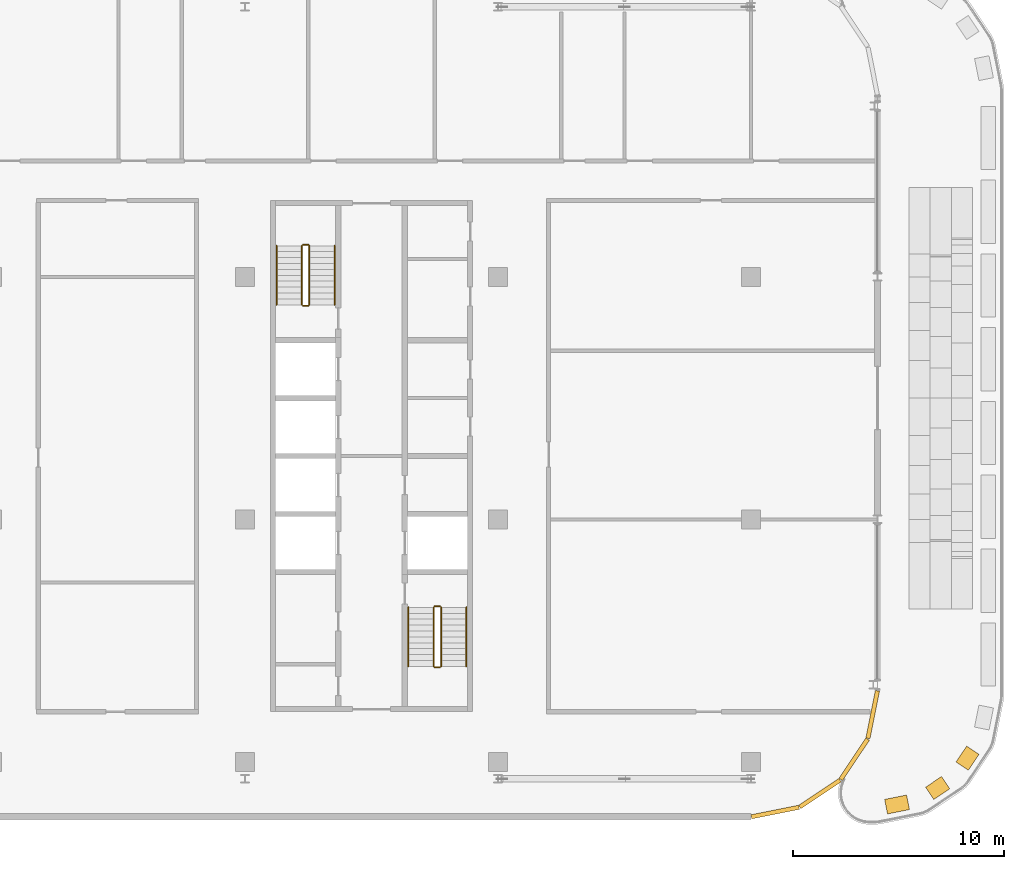
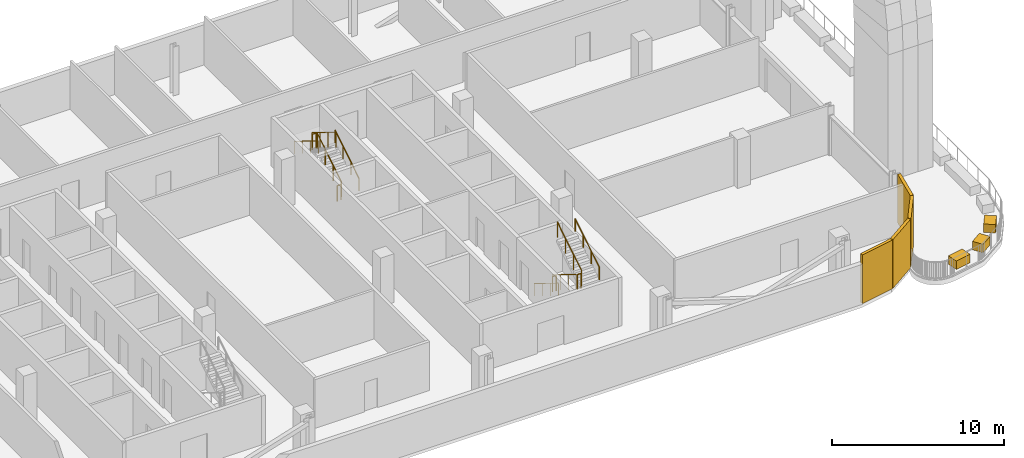
# One storey, part 27 of 30: 12 railings, 7 coverings.
"""IFC4 building model written with IfcOpenShell, lengths in metres."""

import ifcopenshell
import ifcopenshell.guid

model = None  # the IFC model being written
_history = None  # IfcOwnerHistory: only IFC2X3 demands one
_inside = {}  # id of a spatial element -> (the spatial element, [elements in it])
_under = {}  # id of a project, library or spatial element -> (it, [spatial elements below it])
_declared = {}  # id of a project -> (the project, [libraries it declares])
_typed = {}  # id of a type object -> (the type object, [elements of that type])
_made_of = {}  # id of a material, layer set ... -> (it, [elements and type objects made of it])


def new_model(schema):
    """Start an empty IFC model of exactly this schema.

    Asked for "IFC4X3", IfcOpenShell would pick the latest addendum, in which some entities
    have other attributes; the version numbers below select the first issue.
    IFC2X3 requires an IfcOwnerHistory on every rooted entity: one is made here for all.
    """
    global model, _history
    if schema == "IFC4X3":
        model = ifcopenshell.file(schema_version=(4, 3, 0, 0))
    else:
        model = ifcopenshell.file(schema=schema)
    _inside.clear()
    _under.clear()
    _declared.clear()
    _typed.clear()
    _made_of.clear()
    _history = None
    if model.schema == "IFC2X3":
        org = make("IfcOrganization", Name="unknown")
        user = make(
            "IfcPersonAndOrganization",
            ThePerson=make("IfcPerson", FamilyName="unknown"),
            TheOrganization=org,
        )
        app = make(
            "IfcApplication",
            ApplicationDeveloper=org,
            Version="unknown",
            ApplicationFullName="unknown",
            ApplicationIdentifier="unknown",
        )
        _history = make(
            "IfcOwnerHistory",
            OwningUser=user,
            OwningApplication=app,
            ChangeAction="ADDED",
            CreationDate=0,
        )
    return model


def make(cls, **values):
    """One entity of the class cls with the attributes given. An attribute that is None is left unset."""
    return model.create_entity(
        cls, **{name: value for name, value in values.items() if value is not None}
    )


def rooted(cls, **values):
    """An entity with a GlobalId (a new one), such as an element, a storey or a relation."""
    return make(cls, GlobalId=ifcopenshell.guid.new(), OwnerHistory=_history, **values)


def si_unit(unit_type, name, prefix=None):
    """IfcSIUnit, for example si_unit("LENGTHUNIT", "METRE", prefix="MILLI")."""
    return make("IfcSIUnit", UnitType=unit_type, Prefix=prefix, Name=name)


def assignment(units):
    """IfcUnitAssignment: the units of a project."""
    return None if units is None else make("IfcUnitAssignment", Units=units)


def point(xyz):
    """IfcCartesianPoint."""
    return None if xyz is None else make("IfcCartesianPoint", Coordinates=xyz)


def direction(xyz):
    """IfcDirection."""
    return None if xyz is None else make("IfcDirection", DirectionRatios=xyz)


def frame(location, z_axis=None, x_axis=None):
    """IfcAxis2Placement3D, a coordinate frame: its origin and axes. An axis left out is left unset."""
    return make(
        "IfcAxis2Placement3D",
        Location=point(location),
        Axis=direction(z_axis),
        RefDirection=direction(x_axis),
    )


def frame_2d(location, x_axis=None):
    """IfcAxis2Placement2D, a coordinate frame in the plane: its origin and x axis."""
    return make(
        "IfcAxis2Placement2D", Location=point(location), RefDirection=direction(x_axis)
    )


def origin():
    """The frame at (0, 0, 0) with its axes left unset."""
    return frame((0.0, 0.0, 0.0))


def origin_2d():
    """The frame at (0, 0) in the plane with its x axis left unset."""
    return frame_2d((0.0, 0.0))


def place(relative_to, where):
    """IfcLocalPlacement: puts the frame where relative to a parent placement (None: the world)."""
    return make(
        "IfcLocalPlacement", PlacementRelTo=relative_to, RelativePlacement=where
    )


def context(
    kind, dimensions, precision=None, world=None, true_north=None, identifier=None
):
    """IfcGeometricRepresentationContext, for example the 3D "Model" context."""
    return make(
        "IfcGeometricRepresentationContext",
        ContextIdentifier=identifier,
        ContextType=kind,
        CoordinateSpaceDimension=dimensions,
        Precision=precision,
        WorldCoordinateSystem=world,
        TrueNorth=true_north,
    )


def subcontext(parent, identifier, kind, view, scale=None):
    """IfcGeometricRepresentationSubContext, for example "Body" below "Model"."""
    return make(
        "IfcGeometricRepresentationSubContext",
        ContextIdentifier=identifier,
        ContextType=kind,
        ParentContext=parent,
        TargetScale=scale,
        TargetView=view,
    )


def project(units=None, contexts=None):
    """IfcProject with its units and contexts."""
    return rooted(
        "IfcProject",
        Name="project",
        RepresentationContexts=contexts,
        UnitsInContext=assignment(units),
    )


def spatial(cls, under=None, at=None, **own):
    """A site, building, storey or space (cls), placed at a placement, below another one or the project."""
    s = rooted(cls, ObjectPlacement=at, **own)
    if under is not None:
        _under.setdefault(under.id(), (under, []))[1].append(s)
    return s


def profile(cls, at=None, kind="AREA", **sizes):
    """A parametric profile (cls). Its sizes go by their IFC names, for example OverallWidth=200.0."""
    return make(cls, ProfileType=kind, Position=at, **sizes)


def rectangle(**sizes):
    """IfcRectangleProfileDef."""
    return profile("IfcRectangleProfileDef", **sizes)


def circle(**sizes):
    """IfcCircleProfileDef."""
    return profile("IfcCircleProfileDef", **sizes)


def extrude(swept, where, along, depth):
    """IfcExtrudedAreaSolid: the profile swept, set in the frame where, extruded along a direction by depth."""
    return make(
        "IfcExtrudedAreaSolid",
        SweptArea=swept,
        Position=where,
        ExtrudedDirection=direction(along),
        Depth=depth,
    )


def shape(context_of_items, identifier, shape_type, items):
    """IfcShapeRepresentation: the items that make up one representation, for example the "Body"."""
    return make(
        "IfcShapeRepresentation",
        ContextOfItems=context_of_items,
        RepresentationIdentifier=identifier,
        RepresentationType=shape_type,
        Items=items,
    )


def material(Name=None, Category=None):
    """IfcMaterial."""
    return make("IfcMaterial", Name=Name, Category=Category)


def layer(
    of_material, thickness, ventilated=None, Name=None, Category=None, Priority=None
):
    """IfcMaterialLayer: one layer of a wall or slab, of a material (None: an air gap)."""
    return make(
        "IfcMaterialLayer",
        Material=of_material,
        LayerThickness=thickness,
        IsVentilated=ventilated,
        Name=Name,
        Category=Category,
        Priority=Priority,
    )


def layer_set(layers, Name=None):
    """IfcMaterialLayerSet."""
    return make("IfcMaterialLayerSet", MaterialLayers=layers, LayerSetName=Name)


def made_of(thing, what):
    """Note that an element or type object is made of a material, layer set ...; save() writes the relation."""
    if what is not None:
        _made_of.setdefault(what.id(), (what, []))[1].append(thing)
    return thing


def type_object(cls, material=None, **own):
    """A type object (cls), such as IfcWallType, which elements share."""
    return made_of(rooted(cls, **own), material)


def element(
    cls,
    number,
    at=None,
    inside=None,
    cuts=None,
    type_object=None,
    material=None,
    context=None,
    identifier="Body",
    shape_type=None,
    held_by="IfcProductDefinitionShape",
    body=None,
    shapes=None,
    **own,
):
    """One element of the class cls, such as IfcWall. Its Tag is "e" and its number.

    at: its placement. inside: the storey or other place that contains it. cuts: it is an
    opening in that element (IfcRelVoidsElement). A single representation is given by context,
    identifier, shape_type and body (its items); several are given by shapes. held_by: the class
    of the entity that holds the representations. save() writes the other relations.
    """
    e = rooted(cls, Tag="e%d" % number, ObjectPlacement=at, **own)
    if body is not None:
        shapes = [shape(context, identifier, shape_type, body)]
    if shapes is not None:
        e.Representation = make(held_by, Representations=shapes)
    if inside is not None:
        _inside.setdefault(inside.id(), (inside, []))[1].append(e)
    if cuts is not None:
        rooted(
            "IfcRelVoidsElement", RelatingBuildingElement=cuts, RelatedOpeningElement=e
        )
    if type_object is not None:
        _typed.setdefault(type_object.id(), (type_object, []))[1].append(e)
    return made_of(e, material)


def aggregate(whole, parts):
    """IfcRelAggregates: a whole, such as a stair, and the parts it consists of."""
    return rooted("IfcRelAggregates", RelatingObject=whole, RelatedObjects=parts)


def save(model, path):
    """Write the relations noted so far, then the file.

    IfcRelAggregates (storeys below a building ...), IfcRelContainedInSpatialStructure (elements
    in a storey), IfcRelDefinesByType, IfcRelAssociatesMaterial and IfcRelDeclares: one each for
    every whole, place, type object, material and project.
    """
    for whole, parts in _under.values():
        aggregate(whole, parts)
    for where, things in _inside.values():
        rooted(
            "IfcRelContainedInSpatialStructure",
            RelatedElements=things,
            RelatingStructure=where,
        )
    for kind, things in _typed.values():
        rooted("IfcRelDefinesByType", RelatedObjects=things, RelatingType=kind)
    for what, things in _made_of.values():
        rooted("IfcRelAssociatesMaterial", RelatedObjects=things, RelatingMaterial=what)
    for by, libraries in _declared.values():
        rooted("IfcRelDeclares", RelatingContext=by, RelatedDefinitions=libraries)
    model.write(path)


model = new_model("IFC4")

# Units and contexts
model_context = context("Model", 3, precision=1e-05, world=origin(), true_north=direction((0.0, 1.0)))
body_context = subcontext(model_context, "Body", "Model", "MODEL_VIEW")
ifc_project = project(units=[si_unit("LENGTHUNIT", "METRE"), si_unit("AREAUNIT", "SQUARE_METRE"), si_unit("VOLUMEUNIT", "CUBIC_METRE"), si_unit("PLANEANGLEUNIT", "RADIAN"), si_unit("MASSUNIT", "GRAM", prefix="KILO")], contexts=[model_context])

# Site, building, storey
site_placement = place(None, origin())
site = spatial("IfcSite", under=ifc_project, at=site_placement, CompositionType="ELEMENT")
building_placement = place(site_placement, origin())
building = spatial("IfcBuilding", under=site, at=building_placement, Name="Mahtab Terrace Research Tower", CompositionType="ELEMENT")
storey_placement = place(building_placement, frame((0.0, 0.0, 263.300048828125)))
storey = spatial("IfcBuildingStorey", under=building, at=storey_placement, Name="L64", CompositionType="ELEMENT", Elevation=263.300048828125)

# Coverings
ifc_material_1 = material(Name="Black aluminium cladding panel", Category="aluminium")
ifc_layer_1 = layer(ifc_material_1, 0.199951171875)
ifc_layer_set_1 = layer_set([ifc_layer_1], Name="Black metal corner cladding 200")
covering_type_1 = type_object("IfcCoveringType", Name="Black metal corner cladding 200", PredefinedType="CLADDING", material=ifc_layer_set_1)
for number, where, z_axis, x_axis, name in (
    (1, (43.14794921875, -13.883544921875, 0.0), (0.0, 0.0, 1.0), (0.980760981187, 0.195212442692, 0.0), "Corner cladding L64 17"),
    (2, (45.26953125, -13.0048828125, 0.0), (0.0, 0.0, 1.0), (0.831655794326, 0.555291490808, 0.0), "Corner cladding L64 18"),
    (3, (46.89306640625, -11.381591796875, 0.0), (0.0, 0.0, 1.0), (0.555291490808, 0.831655794326, 0.0), "Corner cladding L64 19"),
    (4, (47.771484375, -9.260009765625, 0.0), (0.0, 0.0, 1.0), (0.195212442692, 0.980760981187, 0.0), "Corner cladding L64 20"),
):
    element("IfcCovering", number, at=place(storey_placement, frame(where, z_axis=z_axis, x_axis=x_axis)), inside=storey, type_object=covering_type_1, Name=name, PredefinedType="CLADDING", context=body_context, shape_type="SweptSolid", body=[
        extrude(rectangle(XDim=2.30126953125, YDim=0.199951171875, at=origin_2d()), origin(), (0.0, 0.0, 1.0), 3.4599609375),
    ])
ifc_material_2 = material(Name="Planting soil and shrubs")
ifc_layer_2 = layer(ifc_material_2, 0.1201171875)
ifc_layer_set_2 = layer_set([ifc_layer_2], Name="Planter")
covering_type_2 = type_object("IfcCoveringType", Name="Planter", PredefinedType="USERDEFINED", material=ifc_layer_set_2)
covering_placement = place(storey_placement, frame((48.92822265625, -13.523193359375, 0.02978515625), z_axis=(0.0, 0.0, 1.0), x_axis=(0.980742754391, 0.195303993071, 0.0)))
element("IfcCovering", 5, at=covering_placement, inside=storey, type_object=covering_type_2, Name="PLANTER terrace 7", ObjectType="PLANTER", PredefinedType="USERDEFINED", context=body_context, shape_type="SweptSolid", body=[
    extrude(rectangle(XDim=1.060546875, YDim=0.699951171875, at=origin_2d()), origin(), (0.0, 0.0, 1.0), 0.60009765625),
])
for number, where, z_axis, x_axis, name in (
    (6, (50.853759765625, -12.741943359375, 0.02978515625), (0.0, 0.0, 1.0), (0.831344457855, 0.555757494231, 0.0), "PLANTER terrace 7"),
    (7, (52.268798828125, -11.32666015625, 0.02978515625), (0.0, 0.0, 1.0), (0.555757494231, 0.831344457855, 0.0), "PLANTER terrace 7"),
):
    element("IfcCovering", number, at=place(storey_placement, frame(where, z_axis=z_axis, x_axis=x_axis)), inside=storey, type_object=covering_type_2, Name=name, ObjectType="PLANTER", PredefinedType="USERDEFINED", context=body_context, shape_type="SweptSolid", body=[
        extrude(rectangle(XDim=0.908447265625, YDim=0.699951171875, at=origin_2d()), origin(), (0.0, 0.0, 1.0), 0.60009765625),
    ])

# Railings
ifc_material_3 = material(Name="Stainless steel AISI 304", Category="steel")
railing_type_1 = type_object("IfcRailingType", Name="Stair guard 1100", PredefinedType="GUARDRAIL", material=ifc_material_3)
railing_1_placement = place(storey_placement, frame((21.050048828125, 10.175048828125, 0.172607421875)))
element("IfcRailing", 8, at=railing_1_placement, inside=storey, type_object=railing_type_1, Name="L64 ST3 stair guard 1", PredefinedType="GUARDRAIL", context=body_context, shape_type="SweptSolid", body=[
    extrude(circle(Radius=0.02392578125, at=origin_2d()), frame((0.0, 0.0, 1.076171875), z_axis=(0.0, 0.851089632645, 0.525020415988), x_axis=(-1.0, 0.0, 0.0)), (0.0, 0.0, 1.0), 3.2900390625),
    extrude(circle(Radius=0.02099609375, at=origin_2d()), origin(), (0.0, 0.0, 1.0), 1.052001953125),
    extrude(circle(Radius=0.02099609375, at=origin_2d()), frame((0.0, 0.933349609375, 0.57568359375)), (0.0, 0.0, 1.0), 1.052001953125),
    extrude(circle(Radius=0.02099609375, at=origin_2d()), frame((0.0, 1.86669921875, 1.151611328125)), (0.0, 0.0, 1.0), 1.052001953125),
    extrude(circle(Radius=0.02099609375, at=origin_2d()), frame((0.0, 2.800048828125, 1.727294921875)), (0.0, 0.0, 1.0), 1.052001953125),
])
railing_2_placement = place(storey_placement, frame((21.0, 13.02490234375, 1.89990234375)))
element("IfcRailing", 9, at=railing_2_placement, inside=storey, type_object=railing_type_1, Name="L64 ST3 stair guard 2", PredefinedType="GUARDRAIL", context=body_context, shape_type="SweptSolid", body=[
    extrude(circle(Radius=0.02392578125, at=origin_2d()), frame((0.0, 0.0, 1.076171875), z_axis=(-1.0, 0.0, 0.0), x_axis=(0.0, -1.0, 0.0)), (0.0, 0.0, 1.0), 0.25),
    extrude(circle(Radius=0.02099609375, at=origin_2d()), origin(), (0.0, 0.0, 1.0), 1.052001953125),
    extrude(circle(Radius=0.02099609375, at=origin_2d()), frame((-0.25, 0.0, 0.0)), (0.0, 0.0, 1.0), 1.052001953125),
])
railing_3_placement = place(storey_placement, frame((20.699951171875, 12.97509765625, 2.07275390625)))
element("IfcRailing", 10, at=railing_3_placement, inside=storey, type_object=railing_type_1, Name="L64 ST3 stair guard 3", PredefinedType="GUARDRAIL", context=body_context, shape_type="SweptSolid", body=[
    extrude(circle(Radius=0.02392578125, at=origin_2d()), frame((0.0, 0.0, 1.076171875), z_axis=(0.0, -0.851089632645, 0.525020415988), x_axis=(1.0, 0.0, 0.0)), (0.0, 0.0, 1.0), 3.2900390625),
    extrude(circle(Radius=0.02099609375, at=origin_2d()), origin(), (0.0, 0.0, 1.0), 1.052001953125),
    extrude(circle(Radius=0.02099609375, at=origin_2d()), frame((0.0, -0.933349609375, 0.57568359375)), (0.0, 0.0, 1.0), 1.052001953125),
    extrude(circle(Radius=0.02099609375, at=origin_2d()), frame((0.0, -1.86669921875, 1.151611328125)), (0.0, 0.0, 1.0), 1.052001953125),
    extrude(circle(Radius=0.02099609375, at=origin_2d()), frame((0.0, -2.800048828125, 1.727294921875)), (0.0, 0.0, 1.0), 1.052001953125),
])
railing_4_placement = place(storey_placement, frame((21.0, 10.125, 0.0)))
element("IfcRailing", 11, at=railing_4_placement, inside=storey, type_object=railing_type_1, Name="L64 ST3 stair guard 4", PredefinedType="GUARDRAIL", context=body_context, shape_type="SweptSolid", body=[
    extrude(circle(Radius=0.02392578125, at=origin_2d()), frame((0.0, 0.0, 1.076171875), z_axis=(-1.0, 0.0, 0.0), x_axis=(0.0, -1.0, 0.0)), (0.0, 0.0, 1.0), 0.25),
    extrude(circle(Radius=0.02099609375, at=origin_2d()), origin(), (0.0, 0.0, 1.0), 1.052001953125),
    extrude(circle(Radius=0.02099609375, at=origin_2d()), frame((-0.25, 0.0, 0.0)), (0.0, 0.0, 1.0), 1.052001953125),
])
railing_5_placement = place(storey_placement, frame((26.949951171875, -4.175048828125, 0.172607421875)))
element("IfcRailing", 12, at=railing_5_placement, inside=storey, type_object=railing_type_1, Name="L64 ST4 stair guard 1", PredefinedType="GUARDRAIL", context=body_context, shape_type="SweptSolid", body=[
    extrude(circle(Radius=0.02392578125, at=origin_2d()), frame((0.0, 0.0, 1.076171875), z_axis=(0.0, -0.851089632645, 0.525020415988), x_axis=(1.0, 0.0, 0.0)), (0.0, 0.0, 1.0), 3.2900390625),
    extrude(circle(Radius=0.02099609375, at=origin_2d()), origin(), (0.0, 0.0, 1.0), 1.052001953125),
    extrude(circle(Radius=0.02099609375, at=origin_2d()), frame((0.0, -0.933349609375, 0.57568359375)), (0.0, 0.0, 1.0), 1.052001953125),
    extrude(circle(Radius=0.02099609375, at=origin_2d()), frame((0.0, -1.86669921875, 1.151611328125)), (0.0, 0.0, 1.0), 1.052001953125),
    extrude(circle(Radius=0.02099609375, at=origin_2d()), frame((0.0, -2.800048828125, 1.727294921875)), (0.0, 0.0, 1.0), 1.052001953125),
])
railing_6_placement = place(storey_placement, frame((27.0, -7.02490234375, 1.89990234375)))
element("IfcRailing", 13, at=railing_6_placement, inside=storey, type_object=railing_type_1, Name="L64 ST4 stair guard 2", PredefinedType="GUARDRAIL", context=body_context, shape_type="SweptSolid", body=[
    extrude(circle(Radius=0.02392578125, at=origin_2d()), frame((0.0, 0.0, 1.076171875), z_axis=(1.0, 0.0, 0.0), x_axis=(0.0, 1.0, 0.0)), (0.0, 0.0, 1.0), 0.25),
    extrude(circle(Radius=0.02099609375, at=origin_2d()), origin(), (0.0, 0.0, 1.0), 1.052001953125),
    extrude(circle(Radius=0.02099609375, at=origin_2d()), frame((0.25, 0.0, 0.0)), (0.0, 0.0, 1.0), 1.052001953125),
])
railing_7_placement = place(storey_placement, frame((27.300048828125, -6.97509765625, 2.07275390625)))
element("IfcRailing", 14, at=railing_7_placement, inside=storey, type_object=railing_type_1, Name="L64 ST4 stair guard 3", PredefinedType="GUARDRAIL", context=body_context, shape_type="SweptSolid", body=[
    extrude(circle(Radius=0.02392578125, at=origin_2d()), frame((0.0, 0.0, 1.076171875), z_axis=(0.0, 0.851089632645, 0.525020415988), x_axis=(-1.0, 0.0, 0.0)), (0.0, 0.0, 1.0), 3.2900390625),
    extrude(circle(Radius=0.02099609375, at=origin_2d()), origin(), (0.0, 0.0, 1.0), 1.052001953125),
    extrude(circle(Radius=0.02099609375, at=origin_2d()), frame((0.0, 0.933349609375, 0.57568359375)), (0.0, 0.0, 1.0), 1.052001953125),
    extrude(circle(Radius=0.02099609375, at=origin_2d()), frame((0.0, 1.86669921875, 1.151611328125)), (0.0, 0.0, 1.0), 1.052001953125),
    extrude(circle(Radius=0.02099609375, at=origin_2d()), frame((0.0, 2.800048828125, 1.727294921875)), (0.0, 0.0, 1.0), 1.052001953125),
])
railing_8_placement = place(storey_placement, frame((27.0, -4.125, 0.0)))
element("IfcRailing", 15, at=railing_8_placement, inside=storey, type_object=railing_type_1, Name="L64 ST4 stair guard 4", PredefinedType="GUARDRAIL", context=body_context, shape_type="SweptSolid", body=[
    extrude(circle(Radius=0.02392578125, at=origin_2d()), frame((0.0, 0.0, 1.076171875), z_axis=(1.0, 0.0, 0.0), x_axis=(0.0, 1.0, 0.0)), (0.0, 0.0, 1.0), 0.25),
    extrude(circle(Radius=0.02099609375, at=origin_2d()), origin(), (0.0, 0.0, 1.0), 1.052001953125),
    extrude(circle(Radius=0.02099609375, at=origin_2d()), frame((0.25, 0.0, 0.0)), (0.0, 0.0, 1.0), 1.052001953125),
])
railing_type_2 = type_object("IfcRailingType", Name="Stair handrail 900", PredefinedType="HANDRAIL", material=ifc_material_3)
railing_9_placement = place(storey_placement, frame((22.25, 10.175048828125, 0.172607421875)))
element("IfcRailing", 16, at=railing_9_placement, inside=storey, type_object=railing_type_2, Name="L64 ST3 stair handrail 1", PredefinedType="HANDRAIL", context=body_context, shape_type="SweptSolid", body=[
    extrude(circle(Radius=0.02392578125, at=origin_2d()), frame((0.0, 0.0, 0.8759765625), z_axis=(0.0, 0.851089632645, 0.525020415988), x_axis=(-1.0, 0.0, 0.0)), (0.0, 0.0, 1.0), 3.2900390625),
    extrude(circle(Radius=0.02099609375, at=origin_2d()), origin(), (0.0, 0.0, 1.0), 0.851806640625),
    extrude(circle(Radius=0.02099609375, at=origin_2d()), frame((0.0, 0.933349609375, 0.57568359375)), (0.0, 0.0, 1.0), 0.851806640625),
    extrude(circle(Radius=0.02099609375, at=origin_2d()), frame((0.0, 1.86669921875, 1.151611328125)), (0.0, 0.0, 1.0), 0.851806640625),
    extrude(circle(Radius=0.02099609375, at=origin_2d()), frame((0.0, 2.800048828125, 1.727294921875)), (0.0, 0.0, 1.0), 0.851806640625),
])
for number, where, name in (
    (17, (19.5, 12.97509765625, 2.07275390625), "L64 ST3 stair handrail 2"),
    (18, (25.75, -4.175048828125, 0.172607421875), "L64 ST4 stair handrail 1"),
):
    element("IfcRailing", number, at=place(storey_placement, frame(where)), inside=storey, type_object=railing_type_2, Name=name, PredefinedType="HANDRAIL", context=body_context, shape_type="SweptSolid", body=[
        extrude(circle(Radius=0.02392578125, at=origin_2d()), frame((0.0, 0.0, 0.8759765625), z_axis=(0.0, -0.851089632645, 0.525020415988), x_axis=(1.0, 0.0, 0.0)), (0.0, 0.0, 1.0), 3.2900390625),
        extrude(circle(Radius=0.02099609375, at=origin_2d()), origin(), (0.0, 0.0, 1.0), 0.851806640625),
        extrude(circle(Radius=0.02099609375, at=origin_2d()), frame((0.0, -0.933349609375, 0.57568359375)), (0.0, 0.0, 1.0), 0.851806640625),
        extrude(circle(Radius=0.02099609375, at=origin_2d()), frame((0.0, -1.86669921875, 1.151611328125)), (0.0, 0.0, 1.0), 0.851806640625),
        extrude(circle(Radius=0.02099609375, at=origin_2d()), frame((0.0, -2.800048828125, 1.727294921875)), (0.0, 0.0, 1.0), 0.851806640625),
    ])
railing_10_placement = place(storey_placement, frame((28.5, -6.97509765625, 2.07275390625)))
element("IfcRailing", 19, at=railing_10_placement, inside=storey, type_object=railing_type_2, Name="L64 ST4 stair handrail 2", PredefinedType="HANDRAIL", context=body_context, shape_type="SweptSolid", body=[
    extrude(circle(Radius=0.02392578125, at=origin_2d()), frame((0.0, 0.0, 0.8759765625), z_axis=(0.0, 0.851089632645, 0.525020415988), x_axis=(-1.0, 0.0, 0.0)), (0.0, 0.0, 1.0), 3.2900390625),
    extrude(circle(Radius=0.02099609375, at=origin_2d()), origin(), (0.0, 0.0, 1.0), 0.851806640625),
    extrude(circle(Radius=0.02099609375, at=origin_2d()), frame((0.0, 0.933349609375, 0.57568359375)), (0.0, 0.0, 1.0), 0.851806640625),
    extrude(circle(Radius=0.02099609375, at=origin_2d()), frame((0.0, 1.86669921875, 1.151611328125)), (0.0, 0.0, 1.0), 0.851806640625),
    extrude(circle(Radius=0.02099609375, at=origin_2d()), frame((0.0, 2.800048828125, 1.727294921875)), (0.0, 0.0, 1.0), 0.851806640625),
])

save(model, "model.ifc")
